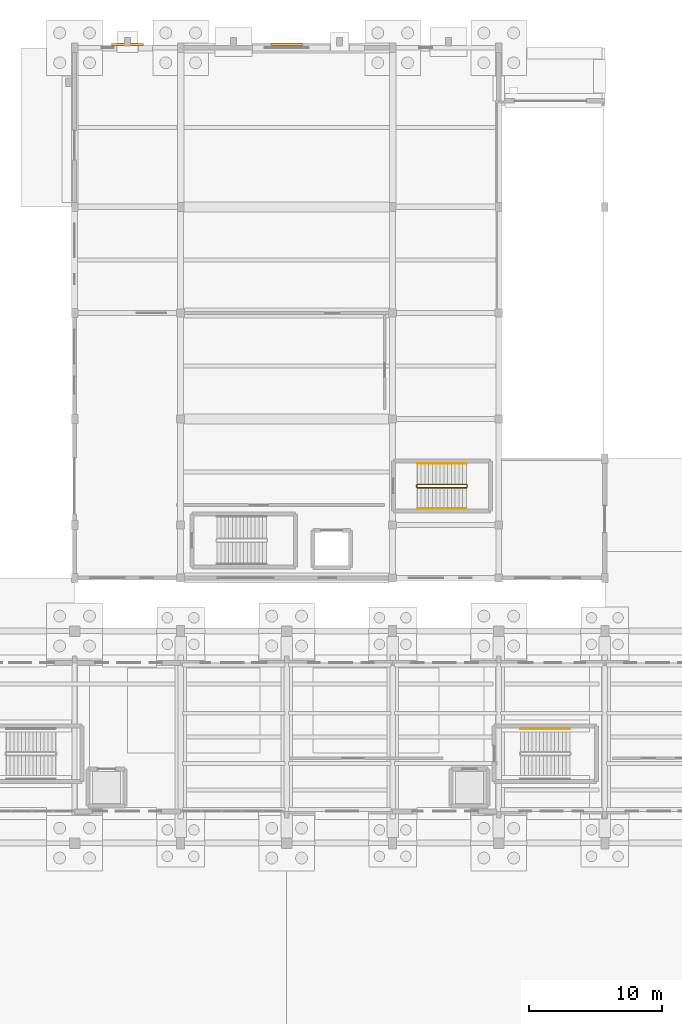
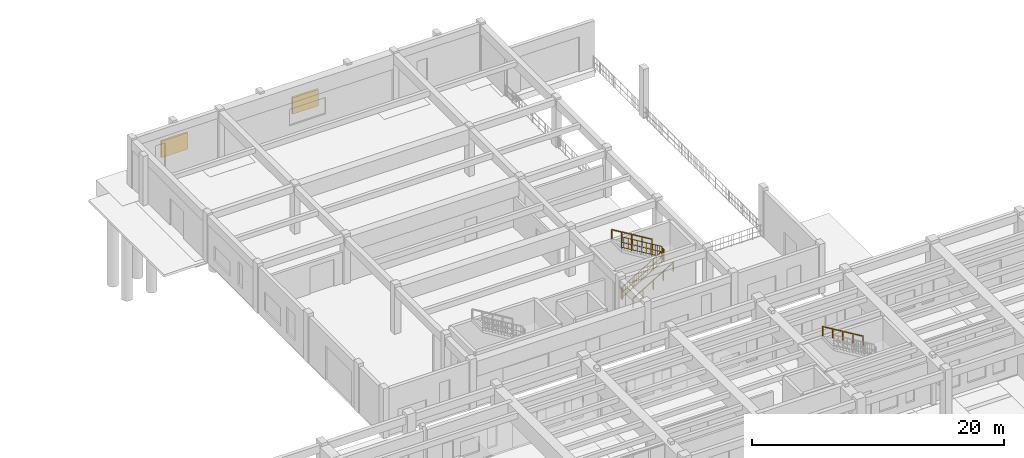
# One storey, part 64 of 68: 7 railings, 2 shading devices.
"""IFC4 building model written with IfcOpenShell, lengths in metres."""

import ifcopenshell
import ifcopenshell.guid

model = None  # the IFC model being written
_history = None  # IfcOwnerHistory: only IFC2X3 demands one
_inside = {}  # id of a spatial element -> (the spatial element, [elements in it])
_under = {}  # id of a project, library or spatial element -> (it, [spatial elements below it])
_declared = {}  # id of a project -> (the project, [libraries it declares])
_typed = {}  # id of a type object -> (the type object, [elements of that type])
_made_of = {}  # id of a material, layer set ... -> (it, [elements and type objects made of it])


def new_model(schema):
    """Start an empty IFC model of exactly this schema.

    Asked for "IFC4X3", IfcOpenShell would pick the latest addendum, in which some entities
    have other attributes; the version numbers below select the first issue.
    IFC2X3 requires an IfcOwnerHistory on every rooted entity: one is made here for all.
    """
    global model, _history
    if schema == "IFC4X3":
        model = ifcopenshell.file(schema_version=(4, 3, 0, 0))
    else:
        model = ifcopenshell.file(schema=schema)
    _inside.clear()
    _under.clear()
    _declared.clear()
    _typed.clear()
    _made_of.clear()
    _history = None
    if model.schema == "IFC2X3":
        org = make("IfcOrganization", Name="unknown")
        user = make(
            "IfcPersonAndOrganization",
            ThePerson=make("IfcPerson", FamilyName="unknown"),
            TheOrganization=org,
        )
        app = make(
            "IfcApplication",
            ApplicationDeveloper=org,
            Version="unknown",
            ApplicationFullName="unknown",
            ApplicationIdentifier="unknown",
        )
        _history = make(
            "IfcOwnerHistory",
            OwningUser=user,
            OwningApplication=app,
            ChangeAction="ADDED",
            CreationDate=0,
        )
    return model


def make(cls, **values):
    """One entity of the class cls with the attributes given. An attribute that is None is left unset."""
    return model.create_entity(
        cls, **{name: value for name, value in values.items() if value is not None}
    )


def rooted(cls, **values):
    """An entity with a GlobalId (a new one), such as an element, a storey or a relation."""
    return make(cls, GlobalId=ifcopenshell.guid.new(), OwnerHistory=_history, **values)


def si_unit(unit_type, name, prefix=None):
    """IfcSIUnit, for example si_unit("LENGTHUNIT", "METRE", prefix="MILLI")."""
    return make("IfcSIUnit", UnitType=unit_type, Prefix=prefix, Name=name)


def assignment(units):
    """IfcUnitAssignment: the units of a project."""
    return None if units is None else make("IfcUnitAssignment", Units=units)


def point(xyz):
    """IfcCartesianPoint."""
    return None if xyz is None else make("IfcCartesianPoint", Coordinates=xyz)


def direction(xyz):
    """IfcDirection."""
    return None if xyz is None else make("IfcDirection", DirectionRatios=xyz)


def frame(location, z_axis=None, x_axis=None):
    """IfcAxis2Placement3D, a coordinate frame: its origin and axes. An axis left out is left unset."""
    return make(
        "IfcAxis2Placement3D",
        Location=point(location),
        Axis=direction(z_axis),
        RefDirection=direction(x_axis),
    )


def frame_2d(location, x_axis=None):
    """IfcAxis2Placement2D, a coordinate frame in the plane: its origin and x axis."""
    return make(
        "IfcAxis2Placement2D", Location=point(location), RefDirection=direction(x_axis)
    )


def origin():
    """The frame at (0, 0, 0) with its axes left unset."""
    return frame((0.0, 0.0, 0.0))


def origin_2d():
    """The frame at (0, 0) in the plane with its x axis left unset."""
    return frame_2d((0.0, 0.0))


def place(relative_to, where):
    """IfcLocalPlacement: puts the frame where relative to a parent placement (None: the world)."""
    return make(
        "IfcLocalPlacement", PlacementRelTo=relative_to, RelativePlacement=where
    )


def context(
    kind, dimensions, precision=None, world=None, true_north=None, identifier=None
):
    """IfcGeometricRepresentationContext, for example the 3D "Model" context."""
    return make(
        "IfcGeometricRepresentationContext",
        ContextIdentifier=identifier,
        ContextType=kind,
        CoordinateSpaceDimension=dimensions,
        Precision=precision,
        WorldCoordinateSystem=world,
        TrueNorth=true_north,
    )


def subcontext(parent, identifier, kind, view, scale=None):
    """IfcGeometricRepresentationSubContext, for example "Body" below "Model"."""
    return make(
        "IfcGeometricRepresentationSubContext",
        ContextIdentifier=identifier,
        ContextType=kind,
        ParentContext=parent,
        TargetScale=scale,
        TargetView=view,
    )


def project(units=None, contexts=None):
    """IfcProject with its units and contexts."""
    return rooted(
        "IfcProject",
        Name="project",
        RepresentationContexts=contexts,
        UnitsInContext=assignment(units),
    )


def spatial(cls, under=None, at=None, **own):
    """A site, building, storey or space (cls), placed at a placement, below another one or the project."""
    s = rooted(cls, ObjectPlacement=at, **own)
    if under is not None:
        _under.setdefault(under.id(), (under, []))[1].append(s)
    return s


def profile(cls, at=None, kind="AREA", **sizes):
    """A parametric profile (cls). Its sizes go by their IFC names, for example OverallWidth=200.0."""
    return make(cls, ProfileType=kind, Position=at, **sizes)


def rectangle(**sizes):
    """IfcRectangleProfileDef."""
    return profile("IfcRectangleProfileDef", **sizes)


def extrude(swept, where, along, depth):
    """IfcExtrudedAreaSolid: the profile swept, set in the frame where, extruded along a direction by depth."""
    return make(
        "IfcExtrudedAreaSolid",
        SweptArea=swept,
        Position=where,
        ExtrudedDirection=direction(along),
        Depth=depth,
    )


def shape(context_of_items, identifier, shape_type, items):
    """IfcShapeRepresentation: the items that make up one representation, for example the "Body"."""
    return make(
        "IfcShapeRepresentation",
        ContextOfItems=context_of_items,
        RepresentationIdentifier=identifier,
        RepresentationType=shape_type,
        Items=items,
    )


def material(Name=None, Category=None):
    """IfcMaterial."""
    return make("IfcMaterial", Name=Name, Category=Category)


def layer(
    of_material, thickness, ventilated=None, Name=None, Category=None, Priority=None
):
    """IfcMaterialLayer: one layer of a wall or slab, of a material (None: an air gap)."""
    return make(
        "IfcMaterialLayer",
        Material=of_material,
        LayerThickness=thickness,
        IsVentilated=ventilated,
        Name=Name,
        Category=Category,
        Priority=Priority,
    )


def layer_set(layers, Name=None):
    """IfcMaterialLayerSet."""
    return make("IfcMaterialLayerSet", MaterialLayers=layers, LayerSetName=Name)


def made_of(thing, what):
    """Note that an element or type object is made of a material, layer set ...; save() writes the relation."""
    if what is not None:
        _made_of.setdefault(what.id(), (what, []))[1].append(thing)
    return thing


def type_object(cls, material=None, **own):
    """A type object (cls), such as IfcWallType, which elements share."""
    return made_of(rooted(cls, **own), material)


def element(
    cls,
    number,
    at=None,
    inside=None,
    cuts=None,
    type_object=None,
    material=None,
    context=None,
    identifier="Body",
    shape_type=None,
    held_by="IfcProductDefinitionShape",
    body=None,
    shapes=None,
    **own,
):
    """One element of the class cls, such as IfcWall. Its Tag is "e" and its number.

    at: its placement. inside: the storey or other place that contains it. cuts: it is an
    opening in that element (IfcRelVoidsElement). A single representation is given by context,
    identifier, shape_type and body (its items); several are given by shapes. held_by: the class
    of the entity that holds the representations. save() writes the other relations.
    """
    e = rooted(cls, Tag="e%d" % number, ObjectPlacement=at, **own)
    if body is not None:
        shapes = [shape(context, identifier, shape_type, body)]
    if shapes is not None:
        e.Representation = make(held_by, Representations=shapes)
    if inside is not None:
        _inside.setdefault(inside.id(), (inside, []))[1].append(e)
    if cuts is not None:
        rooted(
            "IfcRelVoidsElement", RelatingBuildingElement=cuts, RelatedOpeningElement=e
        )
    if type_object is not None:
        _typed.setdefault(type_object.id(), (type_object, []))[1].append(e)
    return made_of(e, material)


def aggregate(whole, parts):
    """IfcRelAggregates: a whole, such as a stair, and the parts it consists of."""
    return rooted("IfcRelAggregates", RelatingObject=whole, RelatedObjects=parts)


def save(model, path):
    """Write the relations noted so far, then the file.

    IfcRelAggregates (storeys below a building ...), IfcRelContainedInSpatialStructure (elements
    in a storey), IfcRelDefinesByType, IfcRelAssociatesMaterial and IfcRelDeclares: one each for
    every whole, place, type object, material and project.
    """
    for whole, parts in _under.values():
        aggregate(whole, parts)
    for where, things in _inside.values():
        rooted(
            "IfcRelContainedInSpatialStructure",
            RelatedElements=things,
            RelatingStructure=where,
        )
    for kind, things in _typed.values():
        rooted("IfcRelDefinesByType", RelatedObjects=things, RelatingType=kind)
    for what, things in _made_of.values():
        rooted("IfcRelAssociatesMaterial", RelatedObjects=things, RelatingMaterial=what)
    for by, libraries in _declared.values():
        rooted("IfcRelDeclares", RelatingContext=by, RelatedDefinitions=libraries)
    model.write(path)


model = new_model("IFC4")

# Units and contexts
model_context = context("Model", 3, precision=1e-05, world=origin(), true_north=direction((0.0, 1.0)))
body_context = subcontext(model_context, "Body", "Model", "MODEL_VIEW")
ifc_project = project(units=[si_unit("LENGTHUNIT", "METRE"), si_unit("AREAUNIT", "SQUARE_METRE"), si_unit("VOLUMEUNIT", "CUBIC_METRE"), si_unit("PLANEANGLEUNIT", "RADIAN"), si_unit("MASSUNIT", "GRAM", prefix="KILO")], contexts=[model_context])

# Site, building, storey
site_placement = place(None, origin())
site = spatial("IfcSite", under=ifc_project, at=site_placement, CompositionType="ELEMENT")
building_placement = place(site_placement, origin())
building = spatial("IfcBuilding", under=site, at=building_placement, Name="Serraluz Foothill Cableway Terminal", CompositionType="ELEMENT")
storey_placement = place(building_placement, origin())
storey = spatial("IfcBuildingStorey", under=building, at=storey_placement, Name="L00", CompositionType="ELEMENT", Elevation=0.0)

# Railings
ifc_material_1 = material(Name="Steel ASTM A572 Grade 50", Category="steel")
ifc_layer_1 = layer(ifc_material_1, 0.054931640625, Name="Steel ASTM A572 Grade 50", Category="steel")
ifc_layer_set_1 = layer_set([ifc_layer_1], Name="Steel ASTM A572 Grade 50")
railing_type_1 = type_object("IfcRailingType", Name="TYP-RL-GRD-1150", PredefinedType="GUARDRAIL", material=ifc_layer_set_1)
railing_1_placement = place(storey_placement, frame((97.860107421875, 82.81005859375, 0.17138671875)))
element("IfcRailing", 1, at=railing_1_placement, inside=storey, type_object=railing_type_1, Name="L00 ST-09 stair guard 1", PredefinedType="GUARDRAIL", context=body_context, shape_type="SweptSolid", body=[
    extrude(rectangle(XDim=0.048095703125, YDim=0.048095703125, at=origin_2d()), frame((0.0, 0.0, 1.1259765625), z_axis=(0.856919398105, 0.0, 0.515450429384), x_axis=(0.0, 1.0, 0.0)), (0.0, 0.0, 1.0), 4.323486328125),
    extrude(rectangle(XDim=0.048095703125, YDim=0.048095703125, at=origin_2d()), frame((0.0, 0.0, 0.597900390625), z_axis=(0.856919398105, 0.0, 0.515450429384), x_axis=(0.0, 1.0, 0.0)), (0.0, 0.0, 1.0), 4.323486328125),
    extrude(rectangle(XDim=0.048095703125, YDim=0.048095703125, at=origin_2d()), frame((0.0, 0.0, 0.1201171875), z_axis=(0.856919398105, 0.0, 0.515450429384), x_axis=(0.0, 1.0, 0.0)), (0.0, 0.0, 1.0), 4.323486328125),
    extrude(rectangle(XDim=0.02001953125, YDim=0.02001953125, at=origin_2d()), frame((0.205810546875, 0.0, 0.243896484375)), (0.0, 0.0, 1.0), 0.981689453125),
    extrude(rectangle(XDim=0.02001953125, YDim=0.02001953125, at=origin_2d()), frame((0.41162109375, 0.0, 0.36767578125)), (0.0, 0.0, 1.0), 0.981689453125),
    extrude(rectangle(XDim=0.02001953125, YDim=0.02001953125, at=origin_2d()), frame((0.617431640625, 0.0, 0.491455078125)), (0.0, 0.0, 1.0), 0.981689453125),
    extrude(rectangle(XDim=0.02001953125, YDim=0.02001953125, at=origin_2d()), frame((0.8232421875, 0.0, 0.615234375)), (0.0, 0.0, 1.0), 0.981689453125),
    extrude(rectangle(XDim=0.02001953125, YDim=0.02001953125, at=origin_2d()), frame((1.029052734375, 0.0, 0.739013671875)), (0.0, 0.0, 1.0), 0.981689453125),
    extrude(rectangle(XDim=0.02001953125, YDim=0.02001953125, at=origin_2d()), frame((1.23486328125, 0.0, 0.86279296875)), (0.0, 0.0, 1.0), 0.981689453125),
    extrude(rectangle(XDim=0.02001953125, YDim=0.02001953125, at=origin_2d()), frame((1.440673828125, 0.0, 0.986572265625)), (0.0, 0.0, 1.0), 0.981689453125),
    extrude(rectangle(XDim=0.02001953125, YDim=0.02001953125, at=origin_2d()), frame((1.646484375, 0.0, 1.1103515625)), (0.0, 0.0, 1.0), 0.981689453125),
    extrude(rectangle(XDim=0.02001953125, YDim=0.02001953125, at=origin_2d()), frame((2.058349609375, 0.0, 1.358154296875)), (0.0, 0.0, 1.0), 0.981689453125),
    extrude(rectangle(XDim=0.02001953125, YDim=0.02001953125, at=origin_2d()), frame((2.26416015625, 0.0, 1.48193359375)), (0.0, 0.0, 1.0), 0.981689453125),
    extrude(rectangle(XDim=0.02001953125, YDim=0.02001953125, at=origin_2d()), frame((2.469970703125, 0.0, 1.605712890625)), (0.0, 0.0, 1.0), 0.981689453125),
    extrude(rectangle(XDim=0.02001953125, YDim=0.02001953125, at=origin_2d()), frame((2.67578125, 0.0, 1.7294921875)), (0.0, 0.0, 1.0), 0.981689453125),
    extrude(rectangle(XDim=0.02001953125, YDim=0.02001953125, at=origin_2d()), frame((2.881591796875, 0.0, 1.853271484375)), (0.0, 0.0, 1.0), 0.981689453125),
    extrude(rectangle(XDim=0.02001953125, YDim=0.02001953125, at=origin_2d()), frame((3.08740234375, 0.0, 1.97705078125)), (0.0, 0.0, 1.0), 0.981689453125),
    extrude(rectangle(XDim=0.02001953125, YDim=0.02001953125, at=origin_2d()), frame((3.293212890625, 0.0, 2.100830078125)), (0.0, 0.0, 1.0), 0.981689453125),
    extrude(rectangle(XDim=0.02001953125, YDim=0.02001953125, at=origin_2d()), frame((3.4990234375, 0.0, 2.224609375)), (0.0, 0.0, 1.0), 0.981689453125),
    extrude(rectangle(XDim=0.0439453125, YDim=0.0439453125, at=origin_2d()), origin(), (0.0, 0.0, 1.0), 1.101806640625),
    extrude(rectangle(XDim=0.0439453125, YDim=0.0439453125, at=origin_2d()), frame((0.92626953125, 0.0, 0.55712890625)), (0.0, 0.0, 1.0), 1.101806640625),
    extrude(rectangle(XDim=0.0439453125, YDim=0.0439453125, at=origin_2d()), frame((1.8525390625, 0.0, 1.1142578125)), (0.0, 0.0, 1.0), 1.101806640625),
    extrude(rectangle(XDim=0.0439453125, YDim=0.0439453125, at=origin_2d()), frame((2.778564453125, 0.0, 1.67138671875)), (0.0, 0.0, 1.0), 1.101806640625),
    extrude(rectangle(XDim=0.0439453125, YDim=0.0439453125, at=origin_2d()), frame((3.704833984375, 0.0, 2.228515625)), (0.0, 0.0, 1.0), 1.101806640625),
])
railing_2_placement = place(storey_placement, frame((101.614990234375, 82.860107421875, 2.39990234375)))
element("IfcRailing", 2, at=railing_2_placement, inside=storey, type_object=railing_type_1, Name="L00 ST-09 stair guard 2", PredefinedType="GUARDRAIL", context=body_context, shape_type="SweptSolid", body=[
    extrude(rectangle(XDim=0.048095703125, YDim=0.048095703125, at=origin_2d()), frame((0.0, 0.0, 1.1259765625), z_axis=(0.0, 1.0, 0.0), x_axis=(-1.0, 0.0, 0.0)), (0.0, 0.0, 1.0), 0.159912109375),
    extrude(rectangle(XDim=0.048095703125, YDim=0.048095703125, at=origin_2d()), frame((0.0, 0.0, 0.597900390625), z_axis=(0.0, 1.0, 0.0), x_axis=(-1.0, 0.0, 0.0)), (0.0, 0.0, 1.0), 0.159912109375),
    extrude(rectangle(XDim=0.048095703125, YDim=0.048095703125, at=origin_2d()), frame((0.0, 0.0, 0.1201171875), z_axis=(0.0, 1.0, 0.0), x_axis=(-1.0, 0.0, 0.0)), (0.0, 0.0, 1.0), 0.159912109375),
    extrude(rectangle(XDim=0.0439453125, YDim=0.0439453125, at=origin_2d()), origin(), (0.0, 0.0, 1.0), 1.101806640625),
    extrude(rectangle(XDim=0.0439453125, YDim=0.0439453125, at=origin_2d()), frame((0.0, 0.159912109375, 0.0)), (0.0, 0.0, 1.0), 1.101806640625),
])
railing_3_placement = place(storey_placement, frame((101.56494140625, 83.070068359375, 2.571533203125)))
element("IfcRailing", 3, at=railing_3_placement, inside=storey, type_object=railing_type_1, Name="L00 ST-09 stair guard 3", PredefinedType="GUARDRAIL", context=body_context, shape_type="SweptSolid", body=[
    extrude(rectangle(XDim=0.048095703125, YDim=0.048095703125, at=origin_2d()), frame((0.0, 0.0, 1.1259765625), z_axis=(-0.856919398105, 0.0, 0.515450429384), x_axis=(0.0, -1.0, 0.0)), (0.0, 0.0, 1.0), 4.323486328125),
    extrude(rectangle(XDim=0.048095703125, YDim=0.048095703125, at=origin_2d()), frame((0.0, 0.0, 0.597900390625), z_axis=(-0.856919398105, 0.0, 0.515450429384), x_axis=(0.0, -1.0, 0.0)), (0.0, 0.0, 1.0), 4.323486328125),
    extrude(rectangle(XDim=0.048095703125, YDim=0.048095703125, at=origin_2d()), frame((0.0, 0.0, 0.1201171875), z_axis=(-0.856919398105, 0.0, 0.515450429384), x_axis=(0.0, -1.0, 0.0)), (0.0, 0.0, 1.0), 4.323486328125),
    extrude(rectangle(XDim=0.02001953125, YDim=0.02001953125, at=origin_2d()), frame((-0.205810546875, 0.0, 0.243896484375)), (0.0, 0.0, 1.0), 0.981689453125),
    extrude(rectangle(XDim=0.02001953125, YDim=0.02001953125, at=origin_2d()), frame((-0.41162109375, 0.0, 0.36767578125)), (0.0, 0.0, 1.0), 0.981689453125),
    extrude(rectangle(XDim=0.02001953125, YDim=0.02001953125, at=origin_2d()), frame((-0.617431640625, 0.0, 0.491455078125)), (0.0, 0.0, 1.0), 0.981689453125),
    extrude(rectangle(XDim=0.02001953125, YDim=0.02001953125, at=origin_2d()), frame((-0.8232421875, 0.0, 0.615234375)), (0.0, 0.0, 1.0), 0.981689453125),
    extrude(rectangle(XDim=0.02001953125, YDim=0.02001953125, at=origin_2d()), frame((-1.029052734375, 0.0, 0.739013671875)), (0.0, 0.0, 1.0), 0.981689453125),
    extrude(rectangle(XDim=0.02001953125, YDim=0.02001953125, at=origin_2d()), frame((-1.23486328125, 0.0, 0.86279296875)), (0.0, 0.0, 1.0), 0.981689453125),
    extrude(rectangle(XDim=0.02001953125, YDim=0.02001953125, at=origin_2d()), frame((-1.440673828125, 0.0, 0.986572265625)), (0.0, 0.0, 1.0), 0.981689453125),
    extrude(rectangle(XDim=0.02001953125, YDim=0.02001953125, at=origin_2d()), frame((-1.646484375, 0.0, 1.1103515625)), (0.0, 0.0, 1.0), 0.981689453125),
    extrude(rectangle(XDim=0.02001953125, YDim=0.02001953125, at=origin_2d()), frame((-2.058349609375, 0.0, 1.358154296875)), (0.0, 0.0, 1.0), 0.981689453125),
    extrude(rectangle(XDim=0.02001953125, YDim=0.02001953125, at=origin_2d()), frame((-2.26416015625, 0.0, 1.48193359375)), (0.0, 0.0, 1.0), 0.981689453125),
    extrude(rectangle(XDim=0.02001953125, YDim=0.02001953125, at=origin_2d()), frame((-2.469970703125, 0.0, 1.605712890625)), (0.0, 0.0, 1.0), 0.981689453125),
    extrude(rectangle(XDim=0.02001953125, YDim=0.02001953125, at=origin_2d()), frame((-2.67578125, 0.0, 1.7294921875)), (0.0, 0.0, 1.0), 0.981689453125),
    extrude(rectangle(XDim=0.02001953125, YDim=0.02001953125, at=origin_2d()), frame((-2.881591796875, 0.0, 1.853271484375)), (0.0, 0.0, 1.0), 0.981689453125),
    extrude(rectangle(XDim=0.02001953125, YDim=0.02001953125, at=origin_2d()), frame((-3.08740234375, 0.0, 1.97705078125)), (0.0, 0.0, 1.0), 0.981689453125),
    extrude(rectangle(XDim=0.02001953125, YDim=0.02001953125, at=origin_2d()), frame((-3.293212890625, 0.0, 2.100830078125)), (0.0, 0.0, 1.0), 0.981689453125),
    extrude(rectangle(XDim=0.02001953125, YDim=0.02001953125, at=origin_2d()), frame((-3.4990234375, 0.0, 2.224609375)), (0.0, 0.0, 1.0), 0.981689453125),
    extrude(rectangle(XDim=0.0439453125, YDim=0.0439453125, at=origin_2d()), origin(), (0.0, 0.0, 1.0), 1.101806640625),
    extrude(rectangle(XDim=0.0439453125, YDim=0.0439453125, at=origin_2d()), frame((-0.92626953125, 0.0, 0.55712890625)), (0.0, 0.0, 1.0), 1.101806640625),
    extrude(rectangle(XDim=0.0439453125, YDim=0.0439453125, at=origin_2d()), frame((-1.8525390625, 0.0, 1.1142578125)), (0.0, 0.0, 1.0), 1.101806640625),
    extrude(rectangle(XDim=0.0439453125, YDim=0.0439453125, at=origin_2d()), frame((-2.778564453125, 0.0, 1.67138671875)), (0.0, 0.0, 1.0), 1.101806640625),
    extrude(rectangle(XDim=0.0439453125, YDim=0.0439453125, at=origin_2d()), frame((-3.704833984375, 0.0, 2.228515625)), (0.0, 0.0, 1.0), 1.101806640625),
])
railing_4_placement = place(storey_placement, frame((97.81005859375, 82.860107421875, 0.0)))
element("IfcRailing", 4, at=railing_4_placement, inside=storey, type_object=railing_type_1, Name="L00 ST-09 stair guard 4", PredefinedType="GUARDRAIL", context=body_context, shape_type="SweptSolid", body=[
    extrude(rectangle(XDim=0.048095703125, YDim=0.048095703125, at=origin_2d()), frame((0.0, 0.0, 1.1259765625), z_axis=(0.0, 1.0, 0.0), x_axis=(-1.0, 0.0, 0.0)), (0.0, 0.0, 1.0), 0.159912109375),
    extrude(rectangle(XDim=0.048095703125, YDim=0.048095703125, at=origin_2d()), frame((0.0, 0.0, 0.597900390625), z_axis=(0.0, 1.0, 0.0), x_axis=(-1.0, 0.0, 0.0)), (0.0, 0.0, 1.0), 0.159912109375),
    extrude(rectangle(XDim=0.048095703125, YDim=0.048095703125, at=origin_2d()), frame((0.0, 0.0, 0.1201171875), z_axis=(0.0, 1.0, 0.0), x_axis=(-1.0, 0.0, 0.0)), (0.0, 0.0, 1.0), 0.159912109375),
    extrude(rectangle(XDim=0.0439453125, YDim=0.0439453125, at=origin_2d()), origin(), (0.0, 0.0, 1.0), 1.101806640625),
    extrude(rectangle(XDim=0.0439453125, YDim=0.0439453125, at=origin_2d()), frame((0.0, 0.159912109375, 0.0)), (0.0, 0.0, 1.0), 1.101806640625),
])
ifc_material_2 = material(Name="Architectural bronze alloy C28000", Category="aluminium")
ifc_layer_2 = layer(ifc_material_2, 0.048095703125, Name="Architectural bronze alloy C28000", Category="aluminium")
ifc_layer_set_2 = layer_set([ifc_layer_2], Name="Architectural bronze alloy C28000")
railing_type_2 = type_object("IfcRailingType", Name="TYP-RL-HND-920", PredefinedType="HANDRAIL", material=ifc_layer_set_2)
railing_5_placement = place(storey_placement, frame((109.364990234375, 64.6298828125, 2.571533203125)))
element("IfcRailing", 5, at=railing_5_placement, inside=storey, type_object=railing_type_2, Name="L00 ST-04 stair handrail 2", PredefinedType="HANDRAIL", context=body_context, shape_type="SweptSolid", body=[
    extrude(rectangle(XDim=0.048095703125, YDim=0.048095703125, at=origin_2d()), frame((0.0, 0.0, 0.8759765625), z_axis=(-0.856934400257, 0.0, 0.515425487977), x_axis=(0.0, -1.0, 0.0)), (0.0, 0.0, 1.0), 4.32373046875),
    extrude(rectangle(XDim=0.0439453125, YDim=0.0439453125, at=origin_2d()), origin(), (0.0, 0.0, 1.0), 0.851806640625),
    extrude(rectangle(XDim=0.0439453125, YDim=0.0439453125, at=origin_2d()), frame((-0.92626953125, 0.0, 0.55712890625)), (0.0, 0.0, 1.0), 0.851806640625),
    extrude(rectangle(XDim=0.0439453125, YDim=0.0439453125, at=origin_2d()), frame((-1.8525390625, 0.0, 1.1142578125)), (0.0, 0.0, 1.0), 0.851806640625),
    extrude(rectangle(XDim=0.0439453125, YDim=0.0439453125, at=origin_2d()), frame((-2.77880859375, 0.0, 1.67138671875)), (0.0, 0.0, 1.0), 0.851806640625),
    extrude(rectangle(XDim=0.0439453125, YDim=0.0439453125, at=origin_2d()), frame((-3.705078125, 0.0, 2.228515625)), (0.0, 0.0, 1.0), 0.851806640625),
])
railing_6_placement = place(storey_placement, frame((97.860107421875, 81.25, 0.17138671875)))
element("IfcRailing", 6, at=railing_6_placement, inside=storey, type_object=railing_type_2, Name="L00 ST-09 stair handrail 1", PredefinedType="HANDRAIL", context=body_context, shape_type="SweptSolid", body=[
    extrude(rectangle(XDim=0.048095703125, YDim=0.048095703125, at=origin_2d()), frame((0.0, 0.0, 0.8759765625), z_axis=(0.856919398105, 0.0, 0.515450429384), x_axis=(0.0, 1.0, 0.0)), (0.0, 0.0, 1.0), 4.323486328125),
    extrude(rectangle(XDim=0.0439453125, YDim=0.0439453125, at=origin_2d()), origin(), (0.0, 0.0, 1.0), 0.851806640625),
    extrude(rectangle(XDim=0.0439453125, YDim=0.0439453125, at=origin_2d()), frame((0.92626953125, 0.0, 0.55712890625)), (0.0, 0.0, 1.0), 0.851806640625),
    extrude(rectangle(XDim=0.0439453125, YDim=0.0439453125, at=origin_2d()), frame((1.8525390625, 0.0, 1.1142578125)), (0.0, 0.0, 1.0), 0.851806640625),
    extrude(rectangle(XDim=0.0439453125, YDim=0.0439453125, at=origin_2d()), frame((2.778564453125, 0.0, 1.67138671875)), (0.0, 0.0, 1.0), 0.851806640625),
    extrude(rectangle(XDim=0.0439453125, YDim=0.0439453125, at=origin_2d()), frame((3.704833984375, 0.0, 2.228515625)), (0.0, 0.0, 1.0), 0.851806640625),
])
railing_7_placement = place(storey_placement, frame((101.56494140625, 84.6298828125, 2.571533203125)))
element("IfcRailing", 7, at=railing_7_placement, inside=storey, type_object=railing_type_2, Name="L00 ST-09 stair handrail 2", PredefinedType="HANDRAIL", context=body_context, shape_type="SweptSolid", body=[
    extrude(rectangle(XDim=0.048095703125, YDim=0.048095703125, at=origin_2d()), frame((0.0, 0.0, 0.8759765625), z_axis=(-0.856919398105, 0.0, 0.515450429384), x_axis=(0.0, -1.0, 0.0)), (0.0, 0.0, 1.0), 4.323486328125),
    extrude(rectangle(XDim=0.0439453125, YDim=0.0439453125, at=origin_2d()), origin(), (0.0, 0.0, 1.0), 0.851806640625),
    extrude(rectangle(XDim=0.0439453125, YDim=0.0439453125, at=origin_2d()), frame((-0.92626953125, 0.0, 0.55712890625)), (0.0, 0.0, 1.0), 0.851806640625),
    extrude(rectangle(XDim=0.0439453125, YDim=0.0439453125, at=origin_2d()), frame((-1.8525390625, 0.0, 1.1142578125)), (0.0, 0.0, 1.0), 0.851806640625),
    extrude(rectangle(XDim=0.0439453125, YDim=0.0439453125, at=origin_2d()), frame((-2.778564453125, 0.0, 1.67138671875)), (0.0, 0.0, 1.0), 0.851806640625),
    extrude(rectangle(XDim=0.0439453125, YDim=0.0439453125, at=origin_2d()), frame((-3.704833984375, 0.0, 2.228515625)), (0.0, 0.0, 1.0), 0.851806640625),
])

# Shading devices
ifc_material_3 = material(Name="Extruded aluminium 6063-T6", Category="aluminium")
shading_device_type = type_object("IfcShadingDeviceType", Name="TYP-SHD-LVR-2400", PredefinedType="SHUTTER", material=ifc_material_3)
for number, where, z_axis, x_axis, name in (
    (8, (76.0, 116.248046875, 1.599853515625), (0.0, 0.0, 1.0), (1.0, 0.0, 0.0), "Acoustic Intake Louvre SHD-LVR-07"),
    (9, (88.0, 116.248046875, 1.599853515625), (0.0, 0.0, 1.0), (1.0, 0.0, 0.0), "Acoustic Intake Louvre SHD-LVR-08"),
):
    element("IfcShadingDevice", number, at=place(storey_placement, frame(where, z_axis=z_axis, x_axis=x_axis)), inside=storey, type_object=shading_device_type, Name=name, PredefinedType="SHUTTER", context=body_context, shape_type="SweptSolid", body=[
        extrude(rectangle(XDim=2.39990234375, YDim=0.179931640625, at=origin_2d()), origin(), (0.0, 0.0, 1.0), 1.60009765625),
    ])

save(model, "model.ifc")
